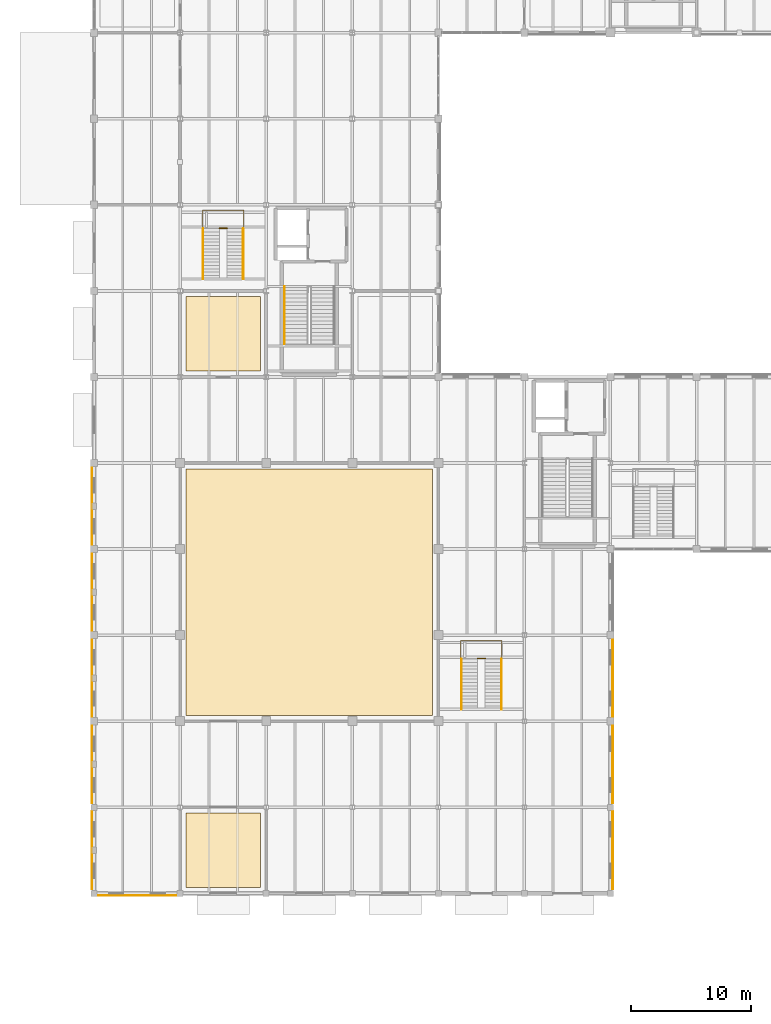
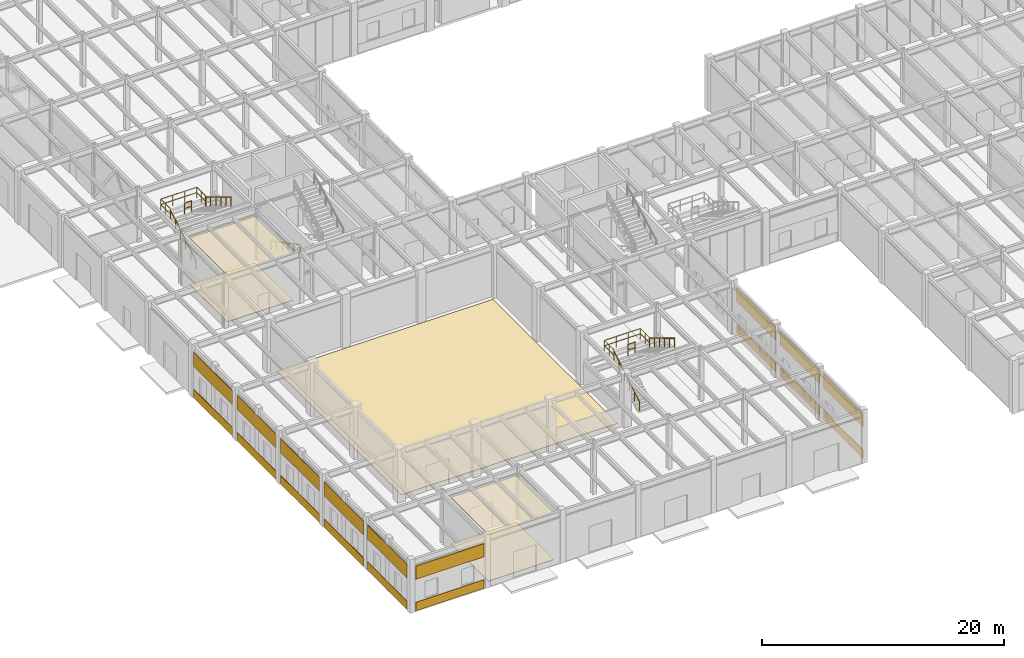
# One storey, part 86 of 97: 23 coverings, 9 railings.
"""IFC4 building model written with IfcOpenShell, lengths in metres."""

from ifc_helpers import new_model, si_unit, direction, frame, frame_2d, origin, origin_2d, place, context, subcontext, project, spatial, polyline, rectangle, circle, outline, extrude, material, layer, layer_set, type_object, element, save


model = new_model("IFC4")

# Units and contexts
model_context = context("Model", 3, precision=1e-05, world=origin(), true_north=direction((0.0, 1.0)))
body_context = subcontext(model_context, "Body", "Model", "MODEL_VIEW")
ifc_project = project(units=[si_unit("LENGTHUNIT", "METRE"), si_unit("AREAUNIT", "SQUARE_METRE"), si_unit("VOLUMEUNIT", "CUBIC_METRE"), si_unit("PLANEANGLEUNIT", "RADIAN"), si_unit("MASSUNIT", "GRAM", prefix="KILO")], contexts=[model_context])

# Site, building, storey
site_placement = place(None, origin())
site = spatial("IfcSite", under=ifc_project, at=site_placement, CompositionType="ELEMENT")
building_placement = place(site_placement, origin())
building = spatial("IfcBuilding", under=site, at=building_placement, Name="Sillqori Civic Hall", CompositionType="ELEMENT")
storey_placement = place(building_placement, origin())
storey = spatial("IfcBuildingStorey", under=building, at=storey_placement, Name="L01", CompositionType="ELEMENT", Elevation=0.0)

# Coverings
ifc_material_1 = material(Name="Andean Cedar Slatted Baffle 52", Category="timber")
ifc_layer_1 = layer(ifc_material_1, 0.052001953125)
ifc_layer_set_1 = layer_set([ifc_layer_1], Name="Andean Cedar Slatted Baffle 52")
covering_type_1 = type_object("IfcCoveringType", Name="COV-CEIL-T52", PredefinedType="CEILING", material=ifc_layer_set_1)
covering_1_placement = place(storey_placement, frame((0.0, 0.0, 4.697998046875)))
element("IfcCovering", 1, at=covering_1_placement, inside=storey, type_object=covering_type_1, Name="Fire Command Room acoustic ceiling", PredefinedType="CEILING", context=body_context, shape_type="SweptSolid", body=[
    extrude(outline(polyline([(14.8798828125, 50.8798828125), (21.1201171875, 50.8798828125), (21.1201171875, 57.1201171875), (14.8798828125, 57.1201171875), (14.8798828125, 50.8798828125)])), origin(), (0.0, 0.0, 1.0), 0.052001953125),
])
covering_2_placement = place(storey_placement, frame((0.0, 0.0, 4.697998046875)))
element("IfcCovering", 2, at=covering_2_placement, inside=storey, type_object=covering_type_1, Name="Ceremonial Council Antechamber acoustic ceiling", PredefinedType="CEILING", context=body_context, shape_type="SweptSolid", body=[
    extrude(outline(polyline([(14.8798828125, 7.679931640625), (21.1201171875, 7.679931640625), (21.1201171875, 13.919921875), (14.8798828125, 13.919921875), (14.8798828125, 7.679931640625)])), origin(), (0.0, 0.0, 1.0), 0.052001953125),
])
ifc_material_2 = material(Name="Cochabamba Honed Limestone Cladding", Category="masonry")
ifc_layer_2 = layer(ifc_material_2, 0.044921875)
ifc_layer_set_2 = layer_set([ifc_layer_2], Name="Cochabamba Honed Limestone Cladding")
covering_type_2 = type_object("IfcCoveringType", Name="COV-CLAD-LIME", PredefinedType="CLADDING", material=ifc_layer_set_2)
covering_3_placement = place(storey_placement, frame((14.070068359375, 7.010009765625, 0.0400390625), z_axis=(0.0, 0.0, 1.0), x_axis=(-1.0, 0.0, 0.0)))
element("IfcCovering", 3, at=covering_3_placement, inside=storey, type_object=covering_type_2, Name="L01 limestone spandrel cladding L01-01-01-S", PredefinedType="CLADDING", context=body_context, shape_type="SweptSolid", body=[
    extrude(rectangle(XDim=6.5400390625, YDim=0.044921875, at=frame_2d((3.27001953125, 0.0))), origin(), (0.0, 0.0, 1.0), 0.85986328125),
])
covering_4_placement = place(storey_placement, frame((14.070068359375, 7.010009765625, 3.219970703125), z_axis=(0.0, 0.0, 1.0), x_axis=(-1.0, 0.0, 0.0)))
element("IfcCovering", 4, at=covering_4_placement, inside=storey, type_object=covering_type_2, Name="L01 limestone frieze cladding L01-01-01-S", PredefinedType="CLADDING", context=body_context, shape_type="SweptSolid", body=[
    extrude(rectangle(XDim=6.5400390625, YDim=0.044921875, at=frame_2d((3.27001953125, 0.0))), origin(), (0.0, 0.0, 1.0), 1.338134765625),
])
covering_5_placement = place(storey_placement, frame((7.010009765625, 7.530029296875, 0.0400390625), z_axis=(0.0, 0.0, 1.0), x_axis=(0.0, 1.0, 0.0)))
element("IfcCovering", 5, at=covering_5_placement, inside=storey, type_object=covering_type_2, Name="L01 limestone spandrel cladding L01-01-01-W", PredefinedType="CLADDING", context=body_context, shape_type="SweptSolid", body=[
    extrude(rectangle(XDim=6.5400390625, YDim=0.044921875, at=frame_2d((3.27001953125, 0.0))), origin(), (0.0, 0.0, 1.0), 0.85986328125),
])
covering_6_placement = place(storey_placement, frame((7.010009765625, 7.530029296875, 3.219970703125), z_axis=(0.0, 0.0, 1.0), x_axis=(0.0, 1.0, 0.0)))
element("IfcCovering", 6, at=covering_6_placement, inside=storey, type_object=covering_type_2, Name="L01 limestone frieze cladding L01-01-01-W", PredefinedType="CLADDING", context=body_context, shape_type="SweptSolid", body=[
    extrude(rectangle(XDim=6.5400390625, YDim=0.044921875, at=frame_2d((3.27001953125, 0.0))), origin(), (0.0, 0.0, 1.0), 1.406982421875),
])
covering_7_placement = place(storey_placement, frame((7.010009765625, 14.72998046875, 0.0400390625), z_axis=(0.0, 0.0, 1.0), x_axis=(0.0, 1.0, 0.0)))
element("IfcCovering", 7, at=covering_7_placement, inside=storey, type_object=covering_type_2, Name="L01 limestone spandrel cladding L01-01-02-W", PredefinedType="CLADDING", context=body_context, shape_type="SweptSolid", body=[
    extrude(rectangle(XDim=6.489990234375, YDim=0.044921875, at=frame_2d((3.2451171875, 0.0))), origin(), (0.0, 0.0, 1.0), 0.85986328125),
])
covering_8_placement = place(storey_placement, frame((7.010009765625, 14.72998046875, 3.219970703125), z_axis=(0.0, 0.0, 1.0), x_axis=(0.0, 1.0, 0.0)))
element("IfcCovering", 8, at=covering_8_placement, inside=storey, type_object=covering_type_2, Name="L01 limestone frieze cladding L01-01-02-W", PredefinedType="CLADDING", context=body_context, shape_type="SweptSolid", body=[
    extrude(rectangle(XDim=6.489990234375, YDim=0.044921875, at=frame_2d((3.2451171875, 0.0))), origin(), (0.0, 0.0, 1.0), 1.406982421875),
])
covering_9_placement = place(storey_placement, frame((7.010009765625, 21.97998046875, 0.0400390625), z_axis=(0.0, 0.0, 1.0), x_axis=(0.0, 1.0, 0.0)))
element("IfcCovering", 9, at=covering_9_placement, inside=storey, type_object=covering_type_2, Name="L01 limestone spandrel cladding L01-01-03-W", PredefinedType="CLADDING", context=body_context, shape_type="SweptSolid", body=[
    extrude(rectangle(XDim=6.43994140625, YDim=0.044921875, at=frame_2d((3.219970703125, 0.0))), origin(), (0.0, 0.0, 1.0), 0.85986328125),
])
covering_10_placement = place(storey_placement, frame((7.010009765625, 21.97998046875, 3.219970703125), z_axis=(0.0, 0.0, 1.0), x_axis=(0.0, 1.0, 0.0)))
element("IfcCovering", 10, at=covering_10_placement, inside=storey, type_object=covering_type_2, Name="L01 limestone frieze cladding L01-01-03-W", PredefinedType="CLADDING", context=body_context, shape_type="SweptSolid", body=[
    extrude(rectangle(XDim=6.43994140625, YDim=0.044921875, at=frame_2d((3.219970703125, 0.0))), origin(), (0.0, 0.0, 1.0), 1.406982421875),
])
covering_11_placement = place(storey_placement, frame((7.010009765625, 29.179931640625, 0.0400390625), z_axis=(0.0, 0.0, 1.0), x_axis=(0.0, 1.0, 0.0)))
element("IfcCovering", 11, at=covering_11_placement, inside=storey, type_object=covering_type_2, Name="L01 limestone spandrel cladding L01-01-04-W", PredefinedType="CLADDING", context=body_context, shape_type="SweptSolid", body=[
    extrude(rectangle(XDim=6.440185546875, YDim=0.044921875, at=frame_2d((3.22021484375, 0.0))), origin(), (0.0, 0.0, 1.0), 0.85986328125),
])
covering_12_placement = place(storey_placement, frame((7.010009765625, 29.179931640625, 3.219970703125), z_axis=(0.0, 0.0, 1.0), x_axis=(0.0, 1.0, 0.0)))
element("IfcCovering", 12, at=covering_12_placement, inside=storey, type_object=covering_type_2, Name="L01 limestone frieze cladding L01-01-04-W", PredefinedType="CLADDING", context=body_context, shape_type="SweptSolid", body=[
    extrude(rectangle(XDim=6.440185546875, YDim=0.044921875, at=frame_2d((3.22021484375, 0.0))), origin(), (0.0, 0.0, 1.0), 1.406982421875),
])
covering_13_placement = place(storey_placement, frame((7.010009765625, 36.3798828125, 0.0400390625), z_axis=(0.0, 0.0, 1.0), x_axis=(0.0, 1.0, 0.0)))
element("IfcCovering", 13, at=covering_13_placement, inside=storey, type_object=covering_type_2, Name="L01 limestone spandrel cladding L01-01-05-W", PredefinedType="CLADDING", context=body_context, shape_type="SweptSolid", body=[
    extrude(rectangle(XDim=6.440185546875, YDim=0.044921875, at=frame_2d((3.22021484375, 0.0))), origin(), (0.0, 0.0, 1.0), 0.85986328125),
])
covering_14_placement = place(storey_placement, frame((7.010009765625, 36.3798828125, 3.219970703125), z_axis=(0.0, 0.0, 1.0), x_axis=(0.0, 1.0, 0.0)))
element("IfcCovering", 14, at=covering_14_placement, inside=storey, type_object=covering_type_2, Name="L01 limestone frieze cladding L01-01-05-W", PredefinedType="CLADDING", context=body_context, shape_type="SweptSolid", body=[
    extrude(rectangle(XDim=6.440185546875, YDim=0.044921875, at=frame_2d((3.22021484375, 0.0))), origin(), (0.0, 0.0, 1.0), 1.406982421875),
])
covering_15_placement = place(storey_placement, frame((50.590087890625, 14.070068359375, 0.0400390625), z_axis=(0.0, 0.0, 1.0), x_axis=(0.0, -1.0, 0.0)))
element("IfcCovering", 15, at=covering_15_placement, inside=storey, type_object=covering_type_2, Name="L01 limestone spandrel cladding L01-06-01-E", PredefinedType="CLADDING", context=body_context, shape_type="SweptSolid", body=[
    extrude(rectangle(XDim=6.5400390625, YDim=0.044921875, at=frame_2d((3.27001953125, 0.0))), origin(), (0.0, 0.0, 1.0), 0.85986328125),
])
covering_16_placement = place(storey_placement, frame((50.590087890625, 14.070068359375, 3.219970703125), z_axis=(0.0, 0.0, 1.0), x_axis=(0.0, -1.0, 0.0)))
element("IfcCovering", 16, at=covering_16_placement, inside=storey, type_object=covering_type_2, Name="L01 limestone frieze cladding L01-06-01-E", PredefinedType="CLADDING", context=body_context, shape_type="SweptSolid", body=[
    extrude(rectangle(XDim=6.5400390625, YDim=0.044921875, at=frame_2d((3.27001953125, 0.0))), origin(), (0.0, 0.0, 1.0), 1.406982421875),
])
covering_17_placement = place(storey_placement, frame((50.590087890625, 21.219970703125, 0.0400390625), z_axis=(0.0, 0.0, 1.0), x_axis=(0.0, -1.0, 0.0)))
element("IfcCovering", 17, at=covering_17_placement, inside=storey, type_object=covering_type_2, Name="L01 limestone spandrel cladding L01-06-02-E", PredefinedType="CLADDING", context=body_context, shape_type="SweptSolid", body=[
    extrude(rectangle(XDim=6.489990234375, YDim=0.044921875, at=frame_2d((3.2451171875, 0.0))), origin(), (0.0, 0.0, 1.0), 0.85986328125),
])
covering_18_placement = place(storey_placement, frame((50.590087890625, 21.219970703125, 3.219970703125), z_axis=(0.0, 0.0, 1.0), x_axis=(0.0, -1.0, 0.0)))
element("IfcCovering", 18, at=covering_18_placement, inside=storey, type_object=covering_type_2, Name="L01 limestone frieze cladding L01-06-02-E", PredefinedType="CLADDING", context=body_context, shape_type="SweptSolid", body=[
    extrude(rectangle(XDim=6.489990234375, YDim=0.044921875, at=frame_2d((3.2451171875, 0.0))), origin(), (0.0, 0.0, 1.0), 1.406982421875),
])
covering_19_placement = place(storey_placement, frame((50.590087890625, 28.419921875, 0.0400390625), z_axis=(0.0, 0.0, 1.0), x_axis=(0.0, -1.0, 0.0)))
element("IfcCovering", 19, at=covering_19_placement, inside=storey, type_object=covering_type_2, Name="L01 limestone spandrel cladding L01-06-03-E", PredefinedType="CLADDING", context=body_context, shape_type="SweptSolid", body=[
    extrude(rectangle(XDim=6.43994140625, YDim=0.044921875, at=frame_2d((3.219970703125, 0.0))), origin(), (0.0, 0.0, 1.0), 0.85986328125),
])
covering_20_placement = place(storey_placement, frame((50.590087890625, 28.419921875, 3.219970703125), z_axis=(0.0, 0.0, 1.0), x_axis=(0.0, -1.0, 0.0)))
element("IfcCovering", 20, at=covering_20_placement, inside=storey, type_object=covering_type_2, Name="L01 limestone frieze cladding L01-06-03-E", PredefinedType="CLADDING", context=body_context, shape_type="SweptSolid", body=[
    extrude(rectangle(XDim=6.43994140625, YDim=0.044921875, at=frame_2d((3.219970703125, 0.0))), origin(), (0.0, 0.0, 1.0), 1.406982421875),
])
ifc_material_3 = material(Name="Thick Ceremonial Limestone Flagstone 50", Category="masonry")
ifc_layer_3 = layer(ifc_material_3, 0.050048828125)
ifc_layer_set_3 = layer_set([ifc_layer_3], Name="Thick Ceremonial Limestone Flagstone 50")
covering_type_3 = type_object("IfcCoveringType", Name="COV-FLR-S50", PredefinedType="FLOORING", material=ifc_layer_set_3)
covering_21_placement = place(storey_placement, origin())
element("IfcCovering", 21, at=covering_21_placement, inside=storey, type_object=covering_type_3, Name="Council Chamber Dais and Plenary Hall floor finish", PredefinedType="FLOORING", context=body_context, shape_type="SweptSolid", body=[
    extrude(outline(polyline([(14.8798828125, 22.080078125), (35.52001953125, 22.080078125), (35.52001953125, 42.719970703125), (14.8798828125, 42.719970703125), (14.8798828125, 22.080078125)])), origin(), (0.0, 0.0, 1.0), 0.050048828125),
])
ifc_material_4 = material(Name="Heavy Hall Basalt Terrazzo 56", Category="masonry")
ifc_layer_4 = layer(ifc_material_4, 0.055908203125)
ifc_layer_set_4 = layer_set([ifc_layer_4], Name="Heavy Hall Basalt Terrazzo 56")
covering_type_4 = type_object("IfcCoveringType", Name="COV-FLR-S56", PredefinedType="FLOORING", material=ifc_layer_set_4)
covering_22_placement = place(storey_placement, origin())
element("IfcCovering", 22, at=covering_22_placement, inside=storey, type_object=covering_type_4, Name="Fire Command Room floor finish", PredefinedType="FLOORING", context=body_context, shape_type="SweptSolid", body=[
    extrude(outline(polyline([(14.8798828125, 50.8798828125), (21.1201171875, 50.8798828125), (21.1201171875, 57.1201171875), (14.8798828125, 57.1201171875), (14.8798828125, 50.8798828125)])), origin(), (0.0, 0.0, 1.0), 0.055908203125),
])
covering_23_placement = place(storey_placement, origin())
element("IfcCovering", 23, at=covering_23_placement, inside=storey, type_object=covering_type_4, Name="Ceremonial Council Antechamber floor finish", PredefinedType="FLOORING", context=body_context, shape_type="SweptSolid", body=[
    extrude(outline(polyline([(14.8798828125, 7.679931640625), (21.1201171875, 7.679931640625), (21.1201171875, 13.919921875), (14.8798828125, 13.919921875), (14.8798828125, 7.679931640625)])), origin(), (0.0, 0.0, 1.0), 0.055908203125),
])

# Railings
ifc_material_5 = material(Name="Brushed Stainless Steel 316 Handrail", Category="steel")
ifc_layer_5 = layer(ifc_material_5, 0.044921875)
ifc_layer_set_5 = layer_set([ifc_layer_5], Name="Brushed Stainless Steel 316 Handrail")
railing_type_1 = type_object("IfcRailingType", Name="RLG-CORE-092", PredefinedType="HANDRAIL", material=ifc_layer_set_5)
railing_1_placement = place(storey_placement, frame((23.110107421875, 57.969970703125, 0.168701171875)))
element("IfcRailing", 24, at=railing_1_placement, inside=storey, type_object=railing_type_1, Name="L01 ST-04 stair handrail 1", PredefinedType="HANDRAIL", context=body_context, shape_type="SweptSolid", body=[
    extrude(circle(Radius=0.02392578125, at=origin_2d()), frame((0.0, 0.0, 0.8759765625), z_axis=(0.0, -0.8845451381, 0.466454605148), x_axis=(1.0, 0.0, 0.0)), (0.0, 0.0, 1.0), 5.426513671875),
    extrude(circle(Radius=0.02099609375, at=origin_2d()), origin(), (0.0, 0.0, 1.0), 0.851806640625),
    extrude(circle(Radius=0.02099609375, at=origin_2d()), frame((0.0, -0.9599609375, 0.50634765625)), (0.0, 0.0, 1.0), 0.851806640625),
    extrude(circle(Radius=0.02099609375, at=origin_2d()), frame((0.0, -1.919921875, 1.012451171875)), (0.0, 0.0, 1.0), 0.851806640625),
    extrude(circle(Radius=0.02099609375, at=origin_2d()), frame((0.0, -2.880126953125, 1.518798828125)), (0.0, 0.0, 1.0), 0.851806640625),
    extrude(circle(Radius=0.02099609375, at=origin_2d()), frame((0.0, -3.840087890625, 2.02490234375)), (0.0, 0.0, 1.0), 0.851806640625),
    extrude(circle(Radius=0.02099609375, at=origin_2d()), frame((0.0, -4.800048828125, 2.53125)), (0.0, 0.0, 1.0), 0.851806640625),
])
railing_2_placement = place(storey_placement, frame((37.919921875, 22.60009765625, 0.168701171875)))
element("IfcRailing", 25, at=railing_2_placement, inside=storey, type_object=railing_type_1, Name="Council Foyer Ceremonial Stair L01-L02 handrail W", PredefinedType="HANDRAIL", context=body_context, shape_type="SweptSolid", body=[
    extrude(circle(Radius=0.02392578125, at=origin_2d()), frame((0.0, 0.0, 0.89599609375), z_axis=(0.0, 0.856476492594, 0.516186030065), x_axis=(-1.0, 0.0, 0.0)), (0.0, 0.0, 1.0), 4.90380859375),
    extrude(circle(Radius=0.02099609375, at=origin_2d()), origin(), (0.0, 0.0, 1.0), 0.871826171875),
    extrude(circle(Radius=0.02099609375, at=origin_2d()), frame((0.0, 0.840087890625, 0.50634765625)), (0.0, 0.0, 1.0), 0.871826171875),
    extrude(circle(Radius=0.02099609375, at=origin_2d()), frame((0.0, 1.679931640625, 1.012451171875)), (0.0, 0.0, 1.0), 0.871826171875),
    extrude(circle(Radius=0.02099609375, at=origin_2d()), frame((0.0, 2.52001953125, 1.518798828125)), (0.0, 0.0, 1.0), 0.871826171875),
    extrude(circle(Radius=0.02099609375, at=origin_2d()), frame((0.0, 3.35986328125, 2.02490234375)), (0.0, 0.0, 1.0), 0.871826171875),
    extrude(circle(Radius=0.02099609375, at=origin_2d()), frame((0.0, 4.199951171875, 2.53125)), (0.0, 0.0, 1.0), 0.871826171875),
])
railing_3_placement = place(storey_placement, frame((41.280029296875, 26.800048828125, 2.868896484375)))
element("IfcRailing", 26, at=railing_3_placement, inside=storey, type_object=railing_type_1, Name="Council Foyer Ceremonial Stair L01-L02 handrail E", PredefinedType="HANDRAIL", context=body_context, shape_type="SweptSolid", body=[
    extrude(circle(Radius=0.02392578125, at=origin_2d()), frame((0.0, 0.0, 0.89599609375), z_axis=(0.0, -0.856498503035, 0.5161495077), x_axis=(1.0, 0.0, 0.0)), (0.0, 0.0, 1.0), 4.903564453125),
    extrude(circle(Radius=0.02099609375, at=origin_2d()), origin(), (0.0, 0.0, 1.0), 0.871826171875),
    extrude(circle(Radius=0.02099609375, at=origin_2d()), frame((0.0, -0.840087890625, 0.506103515625)), (0.0, 0.0, 1.0), 0.871826171875),
    extrude(circle(Radius=0.02099609375, at=origin_2d()), frame((0.0, -1.679931640625, 1.012451171875)), (0.0, 0.0, 1.0), 0.871826171875),
    extrude(circle(Radius=0.02099609375, at=origin_2d()), frame((0.0, -2.52001953125, 1.5185546875)), (0.0, 0.0, 1.0), 0.871826171875),
    extrude(circle(Radius=0.02099609375, at=origin_2d()), frame((0.0, -3.35986328125, 2.02490234375)), (0.0, 0.0, 1.0), 0.871826171875),
    extrude(circle(Radius=0.02099609375, at=origin_2d()), frame((0.0, -4.199951171875, 2.531005859375)), (0.0, 0.0, 1.0), 0.871826171875),
])
railing_4_placement = place(storey_placement, frame((16.320068359375, 58.60009765625, 0.168701171875)))
element("IfcRailing", 27, at=railing_4_placement, inside=storey, type_object=railing_type_1, Name="West Committee Concourse Stair L01-L02 handrail W", PredefinedType="HANDRAIL", context=body_context, shape_type="SweptSolid", body=[
    extrude(circle(Radius=0.02392578125, at=origin_2d()), frame((0.0, 0.0, 0.89599609375), z_axis=(0.0, 0.856476492594, 0.516186030065), x_axis=(-1.0, 0.0, 0.0)), (0.0, 0.0, 1.0), 4.90380859375),
    extrude(circle(Radius=0.02099609375, at=origin_2d()), origin(), (0.0, 0.0, 1.0), 0.871826171875),
    extrude(circle(Radius=0.02099609375, at=origin_2d()), frame((0.0, 0.840087890625, 0.50634765625)), (0.0, 0.0, 1.0), 0.871826171875),
    extrude(circle(Radius=0.02099609375, at=origin_2d()), frame((0.0, 1.679931640625, 1.012451171875)), (0.0, 0.0, 1.0), 0.871826171875),
    extrude(circle(Radius=0.02099609375, at=origin_2d()), frame((0.0, 2.52001953125, 1.518798828125)), (0.0, 0.0, 1.0), 0.871826171875),
    extrude(circle(Radius=0.02099609375, at=origin_2d()), frame((0.0, 3.35986328125, 2.02490234375)), (0.0, 0.0, 1.0), 0.871826171875),
    extrude(circle(Radius=0.02099609375, at=origin_2d()), frame((0.0, 4.199951171875, 2.53125)), (0.0, 0.0, 1.0), 0.871826171875),
])
railing_5_placement = place(storey_placement, frame((19.679931640625, 62.800048828125, 2.868896484375)))
element("IfcRailing", 28, at=railing_5_placement, inside=storey, type_object=railing_type_1, Name="West Committee Concourse Stair L01-L02 handrail E", PredefinedType="HANDRAIL", context=body_context, shape_type="SweptSolid", body=[
    extrude(circle(Radius=0.02392578125, at=origin_2d()), frame((0.0, 0.0, 0.89599609375), z_axis=(0.0, -0.856498503035, 0.5161495077), x_axis=(1.0, 0.0, 0.0)), (0.0, 0.0, 1.0), 4.903564453125),
    extrude(circle(Radius=0.02099609375, at=origin_2d()), origin(), (0.0, 0.0, 1.0), 0.871826171875),
    extrude(circle(Radius=0.02099609375, at=origin_2d()), frame((0.0, -0.840087890625, 0.506103515625)), (0.0, 0.0, 1.0), 0.871826171875),
    extrude(circle(Radius=0.02099609375, at=origin_2d()), frame((0.0, -1.679931640625, 1.012451171875)), (0.0, 0.0, 1.0), 0.871826171875),
    extrude(circle(Radius=0.02099609375, at=origin_2d()), frame((0.0, -2.52001953125, 1.5185546875)), (0.0, 0.0, 1.0), 0.871826171875),
    extrude(circle(Radius=0.02099609375, at=origin_2d()), frame((0.0, -3.35986328125, 2.02490234375)), (0.0, 0.0, 1.0), 0.871826171875),
    extrude(circle(Radius=0.02099609375, at=origin_2d()), frame((0.0, -4.199951171875, 2.531005859375)), (0.0, 0.0, 1.0), 0.871826171875),
])
ifc_material_6 = material(Name="Stainless Steel 316 and Laminated Balustrade", Category="steel")
ifc_layer_6 = layer(ifc_material_6, 0.06005859375)
ifc_layer_set_6 = layer_set([ifc_layer_6], Name="Stainless Steel 316 and Laminated Balustrade")
railing_type_2 = type_object("IfcRailingType", Name="RLG-TERR-112", PredefinedType="GUARDRAIL", material=ifc_layer_set_6)
railing_6_placement = place(storey_placement, frame((37.8798828125, 26.800048828125, 2.699951171875)))
element("IfcRailing", 29, at=railing_6_placement, inside=storey, type_object=railing_type_2, Name="Council Foyer Ceremonial Stair L01-L02 half-landing guard", PredefinedType="GUARDRAIL", context=body_context, shape_type="SweptSolid", body=[
    extrude(circle(Radius=0.02392578125, at=origin_2d()), frame((0.0, 0.0, 1.09619140625), z_axis=(0.0, 1.0, 0.0), x_axis=(-1.0, 0.0, 0.0)), (0.0, 0.0, 1.0), 1.530029296875),
    extrude(circle(Radius=0.02392578125, at=origin_2d()), frame((0.0, 0.0, 0.56005859375), z_axis=(0.0, 1.0, 0.0), x_axis=(-1.0, 0.0, 0.0)), (0.0, 0.0, 1.0), 1.530029296875),
    extrude(circle(Radius=0.02392578125, at=origin_2d()), frame((0.0, 1.530029296875, 1.09619140625), z_axis=(1.0, 0.0, 0.0), x_axis=(0.0, 1.0, 0.0)), (0.0, 0.0, 1.0), 3.440185546875),
    extrude(circle(Radius=0.02392578125, at=origin_2d()), frame((0.0, 1.530029296875, 0.56005859375), z_axis=(1.0, 0.0, 0.0), x_axis=(0.0, 1.0, 0.0)), (0.0, 0.0, 1.0), 3.440185546875),
    extrude(circle(Radius=0.02392578125, at=origin_2d()), frame((3.440185546875, 1.530029296875, 1.09619140625), z_axis=(0.0, -1.0, 0.0), x_axis=(1.0, 0.0, 0.0)), (0.0, 0.0, 1.0), 1.530029296875),
    extrude(circle(Radius=0.02392578125, at=origin_2d()), frame((3.440185546875, 1.530029296875, 0.56005859375), z_axis=(0.0, -1.0, 0.0), x_axis=(1.0, 0.0, 0.0)), (0.0, 0.0, 1.0), 1.530029296875),
    extrude(circle(Radius=0.02099609375, at=origin_2d()), origin(), (0.0, 0.0, 1.0), 1.072021484375),
    extrude(circle(Radius=0.02099609375, at=origin_2d()), frame((0.0, 0.76513671875, 0.0)), (0.0, 0.0, 1.0), 1.072021484375),
    extrude(circle(Radius=0.02099609375, at=origin_2d()), frame((0.0, 1.530029296875, 0.0)), (0.0, 0.0, 1.0), 1.072021484375),
    extrude(circle(Radius=0.02099609375, at=origin_2d()), frame((1.146728515625, 1.530029296875, 0.0)), (0.0, 0.0, 1.0), 1.072021484375),
    extrude(circle(Radius=0.02099609375, at=origin_2d()), frame((2.29345703125, 1.530029296875, 0.0)), (0.0, 0.0, 1.0), 1.072021484375),
    extrude(circle(Radius=0.02099609375, at=origin_2d()), frame((3.440185546875, 1.530029296875, 0.0)), (0.0, 0.0, 1.0), 1.072021484375),
    extrude(circle(Radius=0.02099609375, at=origin_2d()), frame((3.440185546875, 0.76513671875, 0.0)), (0.0, 0.0, 1.0), 1.072021484375),
    extrude(circle(Radius=0.02099609375, at=origin_2d()), frame((3.440185546875, 0.0, 0.0)), (0.0, 0.0, 1.0), 1.072021484375),
])
railing_7_placement = place(storey_placement, frame((39.260009765625, 26.840087890625, 2.699951171875)))
element("IfcRailing", 30, at=railing_7_placement, inside=storey, type_object=railing_type_2, Name="Council Foyer Ceremonial Stair L01-L02 half-landing inner well guard", PredefinedType="GUARDRAIL", context=body_context, shape_type="SweptSolid", body=[
    extrude(circle(Radius=0.02392578125, at=origin_2d()), frame((0.0, 0.0, 1.09619140625), z_axis=(1.0, 0.0, 0.0), x_axis=(0.0, 1.0, 0.0)), (0.0, 0.0, 1.0), 0.679931640625),
    extrude(circle(Radius=0.02392578125, at=origin_2d()), frame((0.0, 0.0, 0.56005859375), z_axis=(1.0, 0.0, 0.0), x_axis=(0.0, 1.0, 0.0)), (0.0, 0.0, 1.0), 0.679931640625),
    extrude(circle(Radius=0.02099609375, at=origin_2d()), origin(), (0.0, 0.0, 1.0), 1.072021484375),
    extrude(circle(Radius=0.02099609375, at=origin_2d()), frame((0.679931640625, 0.0, 0.0)), (0.0, 0.0, 1.0), 1.072021484375),
])
railing_8_placement = place(storey_placement, frame((16.280029296875, 62.800048828125, 2.699951171875)))
element("IfcRailing", 31, at=railing_8_placement, inside=storey, type_object=railing_type_2, Name="West Committee Concourse Stair L01-L02 half-landing guard", PredefinedType="GUARDRAIL", context=body_context, shape_type="SweptSolid", body=[
    extrude(circle(Radius=0.02392578125, at=origin_2d()), frame((0.0, 0.0, 1.09619140625), z_axis=(0.0, 1.0, 0.0), x_axis=(-1.0, 0.0, 0.0)), (0.0, 0.0, 1.0), 1.530029296875),
    extrude(circle(Radius=0.02392578125, at=origin_2d()), frame((0.0, 0.0, 0.56005859375), z_axis=(0.0, 1.0, 0.0), x_axis=(-1.0, 0.0, 0.0)), (0.0, 0.0, 1.0), 1.530029296875),
    extrude(circle(Radius=0.02392578125, at=origin_2d()), frame((0.0, 1.530029296875, 1.09619140625), z_axis=(1.0, 0.0, 0.0), x_axis=(0.0, 1.0, 0.0)), (0.0, 0.0, 1.0), 3.43994140625),
    extrude(circle(Radius=0.02392578125, at=origin_2d()), frame((0.0, 1.530029296875, 0.56005859375), z_axis=(1.0, 0.0, 0.0), x_axis=(0.0, 1.0, 0.0)), (0.0, 0.0, 1.0), 3.43994140625),
    extrude(circle(Radius=0.02392578125, at=origin_2d()), frame((3.43994140625, 1.530029296875, 1.09619140625), z_axis=(0.0, -1.0, 0.0), x_axis=(1.0, 0.0, 0.0)), (0.0, 0.0, 1.0), 1.530029296875),
    extrude(circle(Radius=0.02392578125, at=origin_2d()), frame((3.43994140625, 1.530029296875, 0.56005859375), z_axis=(0.0, -1.0, 0.0), x_axis=(1.0, 0.0, 0.0)), (0.0, 0.0, 1.0), 1.530029296875),
    extrude(circle(Radius=0.02099609375, at=origin_2d()), origin(), (0.0, 0.0, 1.0), 1.072021484375),
    extrude(circle(Radius=0.02099609375, at=origin_2d()), frame((0.0, 0.76513671875, 0.0)), (0.0, 0.0, 1.0), 1.072021484375),
    extrude(circle(Radius=0.02099609375, at=origin_2d()), frame((0.0, 1.530029296875, 0.0)), (0.0, 0.0, 1.0), 1.072021484375),
    extrude(circle(Radius=0.02099609375, at=origin_2d()), frame((1.146728515625, 1.530029296875, 0.0)), (0.0, 0.0, 1.0), 1.072021484375),
    extrude(circle(Radius=0.02099609375, at=origin_2d()), frame((2.293212890625, 1.530029296875, 0.0)), (0.0, 0.0, 1.0), 1.072021484375),
    extrude(circle(Radius=0.02099609375, at=origin_2d()), frame((3.43994140625, 1.530029296875, 0.0)), (0.0, 0.0, 1.0), 1.072021484375),
    extrude(circle(Radius=0.02099609375, at=origin_2d()), frame((3.43994140625, 0.76513671875, 0.0)), (0.0, 0.0, 1.0), 1.072021484375),
    extrude(circle(Radius=0.02099609375, at=origin_2d()), frame((3.43994140625, 0.0, 0.0)), (0.0, 0.0, 1.0), 1.072021484375),
])
railing_9_placement = place(storey_placement, frame((17.659912109375, 62.840087890625, 2.699951171875)))
element("IfcRailing", 32, at=railing_9_placement, inside=storey, type_object=railing_type_2, Name="West Committee Concourse Stair L01-L02 half-landing inner well guard", PredefinedType="GUARDRAIL", context=body_context, shape_type="SweptSolid", body=[
    extrude(circle(Radius=0.02392578125, at=origin_2d()), frame((0.0, 0.0, 1.09619140625), z_axis=(1.0, 0.0, 0.0), x_axis=(0.0, 1.0, 0.0)), (0.0, 0.0, 1.0), 0.68017578125),
    extrude(circle(Radius=0.02392578125, at=origin_2d()), frame((0.0, 0.0, 0.56005859375), z_axis=(1.0, 0.0, 0.0), x_axis=(0.0, 1.0, 0.0)), (0.0, 0.0, 1.0), 0.68017578125),
    extrude(circle(Radius=0.02099609375, at=origin_2d()), origin(), (0.0, 0.0, 1.0), 1.072021484375),
    extrude(circle(Radius=0.02099609375, at=origin_2d()), frame((0.68017578125, 0.0, 0.0)), (0.0, 0.0, 1.0), 1.072021484375),
])

save(model, "model.ifc")
